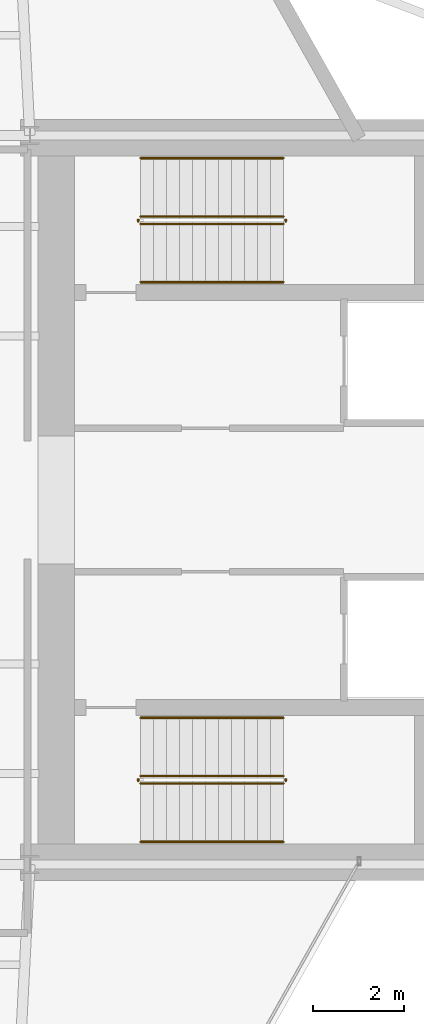
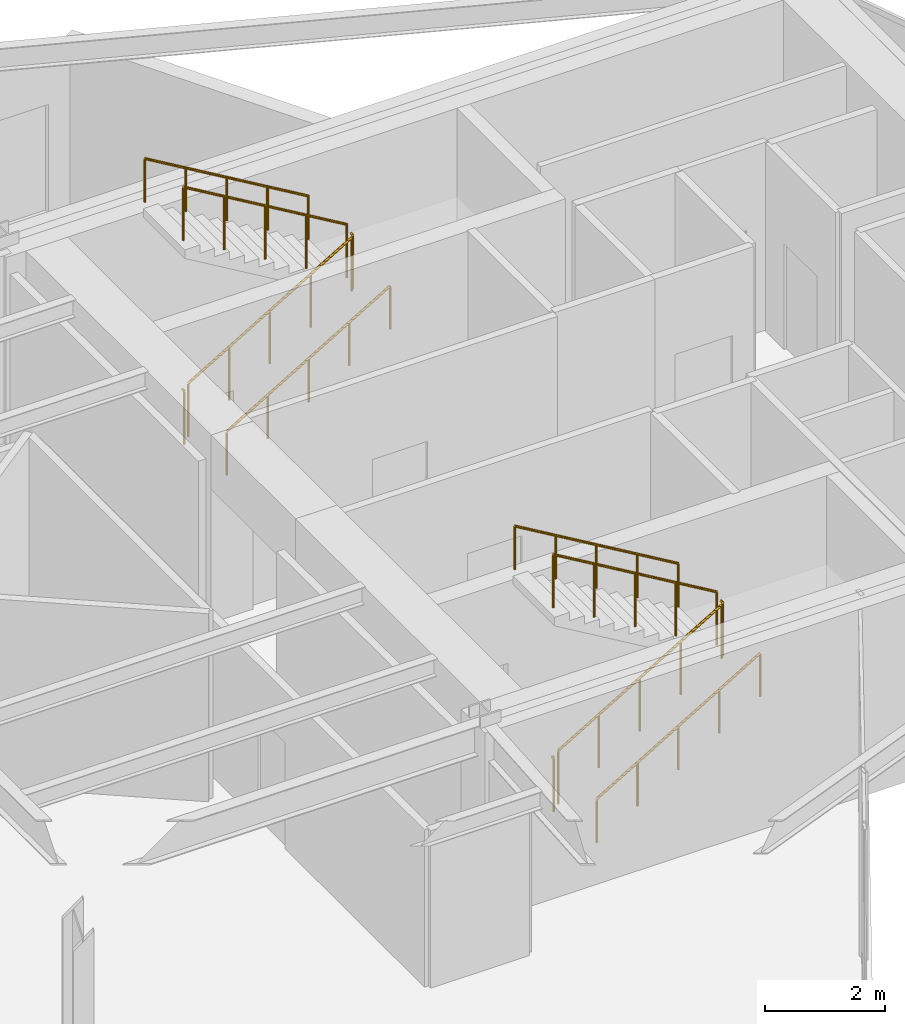
# One storey, part 22 of 23: 12 railings.
"""IFC4 building model written with IfcOpenShell, lengths in metres."""

from ifc_helpers import new_model, si_unit, direction, frame, origin, origin_2d, place, context, subcontext, project, spatial, circle, extrude, material, type_object, element, save


model = new_model("IFC4")

# Units and contexts
model_context = context("Model", 3, precision=1e-05, world=origin(), true_north=direction((0.0, 1.0)))
body_context = subcontext(model_context, "Body", "Model", "MODEL_VIEW")
ifc_project = project(units=[si_unit("LENGTHUNIT", "METRE"), si_unit("AREAUNIT", "SQUARE_METRE"), si_unit("VOLUMEUNIT", "CUBIC_METRE"), si_unit("PLANEANGLEUNIT", "RADIAN"), si_unit("MASSUNIT", "GRAM", prefix="KILO")], contexts=[model_context])

# Site, building, storey
site_placement = place(None, origin())
site = spatial("IfcSite", under=ifc_project, at=site_placement, CompositionType="ELEMENT")
building_placement = place(site_placement, origin())
building = spatial("IfcBuilding", under=site, at=building_placement, Name="Veymaron Broadcast Tower", CompositionType="ELEMENT")
storey_placement = place(building_placement, frame((0.0, 0.0, 165.449951171875)))
storey = spatial("IfcBuildingStorey", under=building, at=storey_placement, Name="L38", CompositionType="ELEMENT", Elevation=165.449951171875)

# Railings
ifc_material_1 = material(Name="Brushed stainless steel AISI 304", Category="steel")
railing_type_1 = type_object("IfcRailingType", Name="RAIL-STAIR-HR", PredefinedType="HANDRAIL", material=ifc_material_1)
railing_1_placement = place(storey_placement, frame((41.429931640625, 28.780029296875, 0.168701171875)))
element("IfcRailing", 1, at=railing_1_placement, inside=storey, type_object=railing_type_1, Name="L38 ST1 stair handrail 1", PredefinedType="HANDRAIL", context=body_context, shape_type="SweptSolid", body=[
    extrude(circle(Radius=0.02392578125, at=origin_2d()), frame((0.0, 0.0, 0.8759765625), z_axis=(0.860452582533, 0.0, 0.509530522356), x_axis=(0.0, 1.0, 0.0)), (0.0, 0.0, 1.0), 3.6435546875),
    extrude(circle(Radius=0.02099609375, at=origin_2d()), origin(), (0.0, 0.0, 1.0), 0.851806640625),
    extrude(circle(Radius=0.02099609375, at=origin_2d()), frame((0.78369140625, 0.0, 0.464111328125)), (0.0, 0.0, 1.0), 0.851806640625),
    extrude(circle(Radius=0.02099609375, at=origin_2d()), frame((1.5673828125, 0.0, 0.92822265625)), (0.0, 0.0, 1.0), 0.851806640625),
    extrude(circle(Radius=0.02099609375, at=origin_2d()), frame((2.351318359375, 0.0, 1.392333984375)), (0.0, 0.0, 1.0), 0.851806640625),
    extrude(circle(Radius=0.02099609375, at=origin_2d()), frame((3.135009765625, 0.0, 1.8564453125)), (0.0, 0.0, 1.0), 0.851806640625),
])
railing_2_placement = place(storey_placement, frame((44.56494140625, 31.5, 2.19384765625)))
element("IfcRailing", 2, at=railing_2_placement, inside=storey, type_object=railing_type_1, Name="L38 ST1 stair handrail 2", PredefinedType="HANDRAIL", context=body_context, shape_type="SweptSolid", body=[
    extrude(circle(Radius=0.02392578125, at=origin_2d()), frame((0.0, 0.0, 0.8759765625), z_axis=(-0.860481960309, 0.0, 0.509480908359), x_axis=(0.0, -1.0, 0.0)), (0.0, 0.0, 1.0), 3.643310546875),
    extrude(circle(Radius=0.02099609375, at=origin_2d()), origin(), (0.0, 0.0, 1.0), 0.851806640625),
    extrude(circle(Radius=0.02099609375, at=origin_2d()), frame((-0.78369140625, 0.0, 0.464111328125)), (0.0, 0.0, 1.0), 0.851806640625),
    extrude(circle(Radius=0.02099609375, at=origin_2d()), frame((-1.5673828125, 0.0, 0.92822265625)), (0.0, 0.0, 1.0), 0.851806640625),
    extrude(circle(Radius=0.02099609375, at=origin_2d()), frame((-2.351318359375, 0.0, 1.39208984375)), (0.0, 0.0, 1.0), 0.851806640625),
    extrude(circle(Radius=0.02099609375, at=origin_2d()), frame((-3.135009765625, 0.0, 1.856201171875)), (0.0, 0.0, 1.0), 0.851806640625),
])
railing_3_placement = place(storey_placement, frame((41.429931640625, 16.5, 0.168701171875)))
element("IfcRailing", 3, at=railing_3_placement, inside=storey, type_object=railing_type_1, Name="L38 ST2 stair handrail 1", PredefinedType="HANDRAIL", context=body_context, shape_type="SweptSolid", body=[
    extrude(circle(Radius=0.02392578125, at=origin_2d()), frame((0.0, 0.0, 0.8759765625), z_axis=(0.860452582533, 0.0, 0.509530522356), x_axis=(0.0, 1.0, 0.0)), (0.0, 0.0, 1.0), 3.6435546875),
    extrude(circle(Radius=0.02099609375, at=origin_2d()), origin(), (0.0, 0.0, 1.0), 0.851806640625),
    extrude(circle(Radius=0.02099609375, at=origin_2d()), frame((0.78369140625, 0.0, 0.464111328125)), (0.0, 0.0, 1.0), 0.851806640625),
    extrude(circle(Radius=0.02099609375, at=origin_2d()), frame((1.5673828125, 0.0, 0.92822265625)), (0.0, 0.0, 1.0), 0.851806640625),
    extrude(circle(Radius=0.02099609375, at=origin_2d()), frame((2.351318359375, 0.0, 1.392333984375)), (0.0, 0.0, 1.0), 0.851806640625),
    extrude(circle(Radius=0.02099609375, at=origin_2d()), frame((3.135009765625, 0.0, 1.8564453125)), (0.0, 0.0, 1.0), 0.851806640625),
])
railing_4_placement = place(storey_placement, frame((44.56494140625, 19.219970703125, 2.19384765625)))
element("IfcRailing", 4, at=railing_4_placement, inside=storey, type_object=railing_type_1, Name="L38 ST2 stair handrail 2", PredefinedType="HANDRAIL", context=body_context, shape_type="SweptSolid", body=[
    extrude(circle(Radius=0.02392578125, at=origin_2d()), frame((0.0, 0.0, 0.8759765625), z_axis=(-0.860481960309, 0.0, 0.509480908359), x_axis=(0.0, -1.0, 0.0)), (0.0, 0.0, 1.0), 3.643310546875),
    extrude(circle(Radius=0.02099609375, at=origin_2d()), origin(), (0.0, 0.0, 1.0), 0.851806640625),
    extrude(circle(Radius=0.02099609375, at=origin_2d()), frame((-0.78369140625, 0.0, 0.464111328125)), (0.0, 0.0, 1.0), 0.851806640625),
    extrude(circle(Radius=0.02099609375, at=origin_2d()), frame((-1.5673828125, 0.0, 0.92822265625)), (0.0, 0.0, 1.0), 0.851806640625),
    extrude(circle(Radius=0.02099609375, at=origin_2d()), frame((-2.351318359375, 0.0, 1.39208984375)), (0.0, 0.0, 1.0), 0.851806640625),
    extrude(circle(Radius=0.02099609375, at=origin_2d()), frame((-3.135009765625, 0.0, 1.856201171875)), (0.0, 0.0, 1.0), 0.851806640625),
])
ifc_material_2 = material(Name="Painted galvanized steel balustrade", Category="steel")
railing_type_2 = type_object("IfcRailingType", Name="RAIL-WELL-GRD", PredefinedType="GUARDRAIL", material=ifc_material_2)
railing_5_placement = place(storey_placement, frame((41.429931640625, 30.06005859375, 0.168701171875)))
element("IfcRailing", 5, at=railing_5_placement, inside=storey, type_object=railing_type_2, Name="L38 ST1 stair guard 1", PredefinedType="GUARDRAIL", context=body_context, shape_type="SweptSolid", body=[
    extrude(circle(Radius=0.02392578125, at=origin_2d()), frame((0.0, 0.0, 1.076171875), z_axis=(0.860452582533, 0.0, 0.509530522356), x_axis=(0.0, 1.0, 0.0)), (0.0, 0.0, 1.0), 3.6435546875),
    extrude(circle(Radius=0.02099609375, at=origin_2d()), origin(), (0.0, 0.0, 1.0), 1.052001953125),
    extrude(circle(Radius=0.02099609375, at=origin_2d()), frame((0.78369140625, 0.0, 0.464111328125)), (0.0, 0.0, 1.0), 1.052001953125),
    extrude(circle(Radius=0.02099609375, at=origin_2d()), frame((1.5673828125, 0.0, 0.92822265625)), (0.0, 0.0, 1.0), 1.052001953125),
    extrude(circle(Radius=0.02099609375, at=origin_2d()), frame((2.351318359375, 0.0, 1.392333984375)), (0.0, 0.0, 1.0), 1.052001953125),
    extrude(circle(Radius=0.02099609375, at=origin_2d()), frame((3.135009765625, 0.0, 1.8564453125)), (0.0, 0.0, 1.0), 1.052001953125),
])
railing_6_placement = place(storey_placement, frame((44.614990234375, 30.110107421875, 2.025146484375)))
element("IfcRailing", 6, at=railing_6_placement, inside=storey, type_object=railing_type_2, Name="L38 ST1 stair guard 2", PredefinedType="GUARDRAIL", context=body_context, shape_type="SweptSolid", body=[
    extrude(circle(Radius=0.02392578125, at=origin_2d()), frame((0.0, 0.0, 1.076171875), z_axis=(0.0, 1.0, 0.0), x_axis=(-1.0, 0.0, 0.0)), (0.0, 0.0, 1.0), 0.059814453125),
    extrude(circle(Radius=0.02099609375, at=origin_2d()), origin(), (0.0, 0.0, 1.0), 1.052001953125),
])
railing_7_placement = place(storey_placement, frame((44.56494140625, 30.219970703125, 2.19384765625)))
element("IfcRailing", 7, at=railing_7_placement, inside=storey, type_object=railing_type_2, Name="L38 ST1 stair guard 3", PredefinedType="GUARDRAIL", context=body_context, shape_type="SweptSolid", body=[
    extrude(circle(Radius=0.02392578125, at=origin_2d()), frame((0.0, 0.0, 1.076171875), z_axis=(-0.860481960309, 0.0, 0.509480908359), x_axis=(0.0, -1.0, 0.0)), (0.0, 0.0, 1.0), 3.643310546875),
    extrude(circle(Radius=0.02099609375, at=origin_2d()), origin(), (0.0, 0.0, 1.0), 1.052001953125),
    extrude(circle(Radius=0.02099609375, at=origin_2d()), frame((-0.78369140625, 0.0, 0.464111328125)), (0.0, 0.0, 1.0), 1.052001953125),
    extrude(circle(Radius=0.02099609375, at=origin_2d()), frame((-1.5673828125, 0.0, 0.92822265625)), (0.0, 0.0, 1.0), 1.052001953125),
    extrude(circle(Radius=0.02099609375, at=origin_2d()), frame((-2.351318359375, 0.0, 1.39208984375)), (0.0, 0.0, 1.0), 1.052001953125),
    extrude(circle(Radius=0.02099609375, at=origin_2d()), frame((-3.135009765625, 0.0, 1.856201171875)), (0.0, 0.0, 1.0), 1.052001953125),
])
railing_8_placement = place(storey_placement, frame((41.3798828125, 30.110107421875, 0.0)))
element("IfcRailing", 8, at=railing_8_placement, inside=storey, type_object=railing_type_2, Name="L38 ST1 stair guard 4", PredefinedType="GUARDRAIL", context=body_context, shape_type="SweptSolid", body=[
    extrude(circle(Radius=0.02392578125, at=origin_2d()), frame((0.0, 0.0, 1.076171875), z_axis=(0.0, 1.0, 0.0), x_axis=(-1.0, 0.0, 0.0)), (0.0, 0.0, 1.0), 0.059814453125),
    extrude(circle(Radius=0.02099609375, at=origin_2d()), origin(), (0.0, 0.0, 1.0), 1.052001953125),
])
railing_9_placement = place(storey_placement, frame((41.429931640625, 17.780029296875, 0.168701171875)))
element("IfcRailing", 9, at=railing_9_placement, inside=storey, type_object=railing_type_2, Name="L38 ST2 stair guard 1", PredefinedType="GUARDRAIL", context=body_context, shape_type="SweptSolid", body=[
    extrude(circle(Radius=0.02392578125, at=origin_2d()), frame((0.0, 0.0, 1.076171875), z_axis=(0.860452582533, 0.0, 0.509530522356), x_axis=(0.0, 1.0, 0.0)), (0.0, 0.0, 1.0), 3.6435546875),
    extrude(circle(Radius=0.02099609375, at=origin_2d()), origin(), (0.0, 0.0, 1.0), 1.052001953125),
    extrude(circle(Radius=0.02099609375, at=origin_2d()), frame((0.78369140625, 0.0, 0.464111328125)), (0.0, 0.0, 1.0), 1.052001953125),
    extrude(circle(Radius=0.02099609375, at=origin_2d()), frame((1.5673828125, 0.0, 0.92822265625)), (0.0, 0.0, 1.0), 1.052001953125),
    extrude(circle(Radius=0.02099609375, at=origin_2d()), frame((2.351318359375, 0.0, 1.392333984375)), (0.0, 0.0, 1.0), 1.052001953125),
    extrude(circle(Radius=0.02099609375, at=origin_2d()), frame((3.135009765625, 0.0, 1.8564453125)), (0.0, 0.0, 1.0), 1.052001953125),
])
railing_10_placement = place(storey_placement, frame((44.614990234375, 17.830078125, 2.025146484375)))
element("IfcRailing", 10, at=railing_10_placement, inside=storey, type_object=railing_type_2, Name="L38 ST2 stair guard 2", PredefinedType="GUARDRAIL", context=body_context, shape_type="SweptSolid", body=[
    extrude(circle(Radius=0.02392578125, at=origin_2d()), frame((0.0, 0.0, 1.076171875), z_axis=(0.0, 1.0, 0.0), x_axis=(-1.0, 0.0, 0.0)), (0.0, 0.0, 1.0), 0.059814453125),
    extrude(circle(Radius=0.02099609375, at=origin_2d()), origin(), (0.0, 0.0, 1.0), 1.052001953125),
])
railing_11_placement = place(storey_placement, frame((44.56494140625, 17.93994140625, 2.19384765625)))
element("IfcRailing", 11, at=railing_11_placement, inside=storey, type_object=railing_type_2, Name="L38 ST2 stair guard 3", PredefinedType="GUARDRAIL", context=body_context, shape_type="SweptSolid", body=[
    extrude(circle(Radius=0.02392578125, at=origin_2d()), frame((0.0, 0.0, 1.076171875), z_axis=(-0.860481960309, 0.0, 0.509480908359), x_axis=(0.0, -1.0, 0.0)), (0.0, 0.0, 1.0), 3.643310546875),
    extrude(circle(Radius=0.02099609375, at=origin_2d()), origin(), (0.0, 0.0, 1.0), 1.052001953125),
    extrude(circle(Radius=0.02099609375, at=origin_2d()), frame((-0.78369140625, 0.0, 0.464111328125)), (0.0, 0.0, 1.0), 1.052001953125),
    extrude(circle(Radius=0.02099609375, at=origin_2d()), frame((-1.5673828125, 0.0, 0.92822265625)), (0.0, 0.0, 1.0), 1.052001953125),
    extrude(circle(Radius=0.02099609375, at=origin_2d()), frame((-2.351318359375, 0.0, 1.39208984375)), (0.0, 0.0, 1.0), 1.052001953125),
    extrude(circle(Radius=0.02099609375, at=origin_2d()), frame((-3.135009765625, 0.0, 1.856201171875)), (0.0, 0.0, 1.0), 1.052001953125),
])
railing_12_placement = place(storey_placement, frame((41.3798828125, 17.830078125, 0.0)))
element("IfcRailing", 12, at=railing_12_placement, inside=storey, type_object=railing_type_2, Name="L38 ST2 stair guard 4", PredefinedType="GUARDRAIL", context=body_context, shape_type="SweptSolid", body=[
    extrude(circle(Radius=0.02392578125, at=origin_2d()), frame((0.0, 0.0, 1.076171875), z_axis=(0.0, 1.0, 0.0), x_axis=(-1.0, 0.0, 0.0)), (0.0, 0.0, 1.0), 0.059814453125),
    extrude(circle(Radius=0.02099609375, at=origin_2d()), origin(), (0.0, 0.0, 1.0), 1.052001953125),
])

save(model, "model.ifc")
